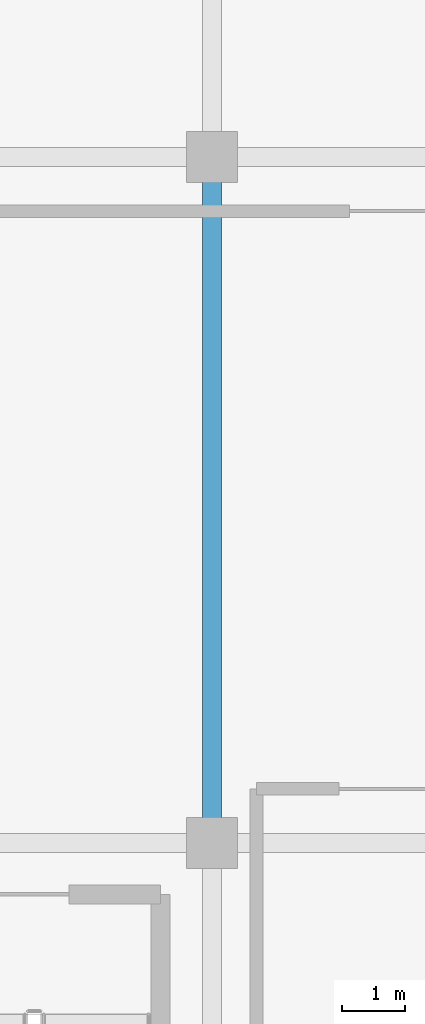
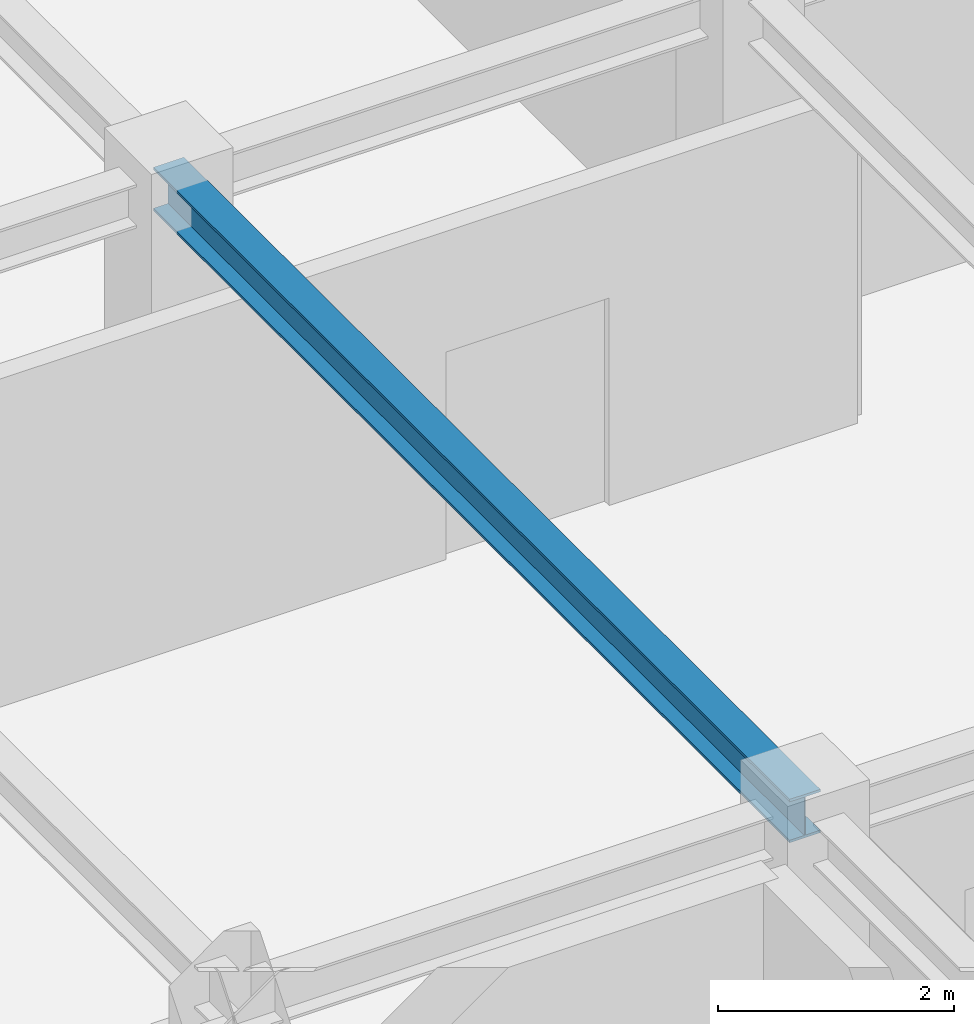
# One storey, part 7 of 18: 1 beam.
"""IFC4 building model written with IfcOpenShell, lengths in metres."""

import ifcopenshell
import ifcopenshell.guid

model = None  # the IFC model being written
_history = None  # IfcOwnerHistory: only IFC2X3 demands one
_inside = {}  # id of a spatial element -> (the spatial element, [elements in it])
_under = {}  # id of a project, library or spatial element -> (it, [spatial elements below it])
_declared = {}  # id of a project -> (the project, [libraries it declares])
_typed = {}  # id of a type object -> (the type object, [elements of that type])
_made_of = {}  # id of a material, layer set ... -> (it, [elements and type objects made of it])


def new_model(schema):
    """Start an empty IFC model of exactly this schema.

    Asked for "IFC4X3", IfcOpenShell would pick the latest addendum, in which some entities
    have other attributes; the version numbers below select the first issue.
    IFC2X3 requires an IfcOwnerHistory on every rooted entity: one is made here for all.
    """
    global model, _history
    if schema == "IFC4X3":
        model = ifcopenshell.file(schema_version=(4, 3, 0, 0))
    else:
        model = ifcopenshell.file(schema=schema)
    _inside.clear()
    _under.clear()
    _declared.clear()
    _typed.clear()
    _made_of.clear()
    _history = None
    if model.schema == "IFC2X3":
        org = make("IfcOrganization", Name="unknown")
        user = make(
            "IfcPersonAndOrganization",
            ThePerson=make("IfcPerson", FamilyName="unknown"),
            TheOrganization=org,
        )
        app = make(
            "IfcApplication",
            ApplicationDeveloper=org,
            Version="unknown",
            ApplicationFullName="unknown",
            ApplicationIdentifier="unknown",
        )
        _history = make(
            "IfcOwnerHistory",
            OwningUser=user,
            OwningApplication=app,
            ChangeAction="ADDED",
            CreationDate=0,
        )
    return model


def make(cls, **values):
    """One entity of the class cls with the attributes given. An attribute that is None is left unset."""
    return model.create_entity(
        cls, **{name: value for name, value in values.items() if value is not None}
    )


def rooted(cls, **values):
    """An entity with a GlobalId (a new one), such as an element, a storey or a relation."""
    return make(cls, GlobalId=ifcopenshell.guid.new(), OwnerHistory=_history, **values)


def si_unit(unit_type, name, prefix=None):
    """IfcSIUnit, for example si_unit("LENGTHUNIT", "METRE", prefix="MILLI")."""
    return make("IfcSIUnit", UnitType=unit_type, Prefix=prefix, Name=name)


def assignment(units):
    """IfcUnitAssignment: the units of a project."""
    return None if units is None else make("IfcUnitAssignment", Units=units)


def point(xyz):
    """IfcCartesianPoint."""
    return None if xyz is None else make("IfcCartesianPoint", Coordinates=xyz)


def direction(xyz):
    """IfcDirection."""
    return None if xyz is None else make("IfcDirection", DirectionRatios=xyz)


def frame(location, z_axis=None, x_axis=None):
    """IfcAxis2Placement3D, a coordinate frame: its origin and axes. An axis left out is left unset."""
    return make(
        "IfcAxis2Placement3D",
        Location=point(location),
        Axis=direction(z_axis),
        RefDirection=direction(x_axis),
    )


def frame_2d(location, x_axis=None):
    """IfcAxis2Placement2D, a coordinate frame in the plane: its origin and x axis."""
    return make(
        "IfcAxis2Placement2D", Location=point(location), RefDirection=direction(x_axis)
    )


def origin():
    """The frame at (0, 0, 0) with its axes left unset."""
    return frame((0.0, 0.0, 0.0))


def origin_2d():
    """The frame at (0, 0) in the plane with its x axis left unset."""
    return frame_2d((0.0, 0.0))


def place(relative_to, where):
    """IfcLocalPlacement: puts the frame where relative to a parent placement (None: the world)."""
    return make(
        "IfcLocalPlacement", PlacementRelTo=relative_to, RelativePlacement=where
    )


def context(
    kind, dimensions, precision=None, world=None, true_north=None, identifier=None
):
    """IfcGeometricRepresentationContext, for example the 3D "Model" context."""
    return make(
        "IfcGeometricRepresentationContext",
        ContextIdentifier=identifier,
        ContextType=kind,
        CoordinateSpaceDimension=dimensions,
        Precision=precision,
        WorldCoordinateSystem=world,
        TrueNorth=true_north,
    )


def subcontext(parent, identifier, kind, view, scale=None):
    """IfcGeometricRepresentationSubContext, for example "Body" below "Model"."""
    return make(
        "IfcGeometricRepresentationSubContext",
        ContextIdentifier=identifier,
        ContextType=kind,
        ParentContext=parent,
        TargetScale=scale,
        TargetView=view,
    )


def project(units=None, contexts=None):
    """IfcProject with its units and contexts."""
    return rooted(
        "IfcProject",
        Name="project",
        RepresentationContexts=contexts,
        UnitsInContext=assignment(units),
    )


def spatial(cls, under=None, at=None, **own):
    """A site, building, storey or space (cls), placed at a placement, below another one or the project."""
    s = rooted(cls, ObjectPlacement=at, **own)
    if under is not None:
        _under.setdefault(under.id(), (under, []))[1].append(s)
    return s


def profile(cls, at=None, kind="AREA", **sizes):
    """A parametric profile (cls). Its sizes go by their IFC names, for example OverallWidth=200.0."""
    return make(cls, ProfileType=kind, Position=at, **sizes)


def i_section(**sizes):
    """IfcIShapeProfileDef."""
    return profile("IfcIShapeProfileDef", **sizes)


def extrude(swept, where, along, depth):
    """IfcExtrudedAreaSolid: the profile swept, set in the frame where, extruded along a direction by depth."""
    return make(
        "IfcExtrudedAreaSolid",
        SweptArea=swept,
        Position=where,
        ExtrudedDirection=direction(along),
        Depth=depth,
    )


def shape(context_of_items, identifier, shape_type, items):
    """IfcShapeRepresentation: the items that make up one representation, for example the "Body"."""
    return make(
        "IfcShapeRepresentation",
        ContextOfItems=context_of_items,
        RepresentationIdentifier=identifier,
        RepresentationType=shape_type,
        Items=items,
    )


def source(mapping_origin, context_of_items, identifier, shape_type, items):
    """IfcRepresentationMap: a shape defined once, which mapped items show again and again."""
    return make(
        "IfcRepresentationMap",
        MappingOrigin=mapping_origin,
        MappedRepresentation=shape(context_of_items, identifier, shape_type, items),
    )


def transform(
    local_origin,
    x_axis=None,
    y_axis=None,
    z_axis=None,
    scale=None,
    scale2=None,
    scale3=None,
    uniform=True,
):
    """IfcCartesianTransformationOperator3D, or its non-uniform kind. x_axis, y_axis, z_axis: its Axis1, 2, 3."""
    if uniform:
        return make(
            "IfcCartesianTransformationOperator3D",
            Axis1=direction(x_axis),
            Axis2=direction(y_axis),
            LocalOrigin=point(local_origin),
            Scale=scale,
            Axis3=direction(z_axis),
        )
    return make(
        "IfcCartesianTransformationOperator3DnonUniform",
        Axis1=direction(x_axis),
        Axis2=direction(y_axis),
        LocalOrigin=point(local_origin),
        Scale=scale,
        Axis3=direction(z_axis),
        Scale2=scale2,
        Scale3=scale3,
    )


def mapped(mapping_source, mapping_target):
    """IfcMappedItem: shows the shape of a source again, moved by a transform."""
    return make(
        "IfcMappedItem", MappingSource=mapping_source, MappingTarget=mapping_target
    )


def material(Name=None, Category=None):
    """IfcMaterial."""
    return make("IfcMaterial", Name=Name, Category=Category)


def material_profile(
    of_material, cross_section, Name=None, Category=None, Priority=None
):
    """IfcMaterialProfile: a cross section and its material."""
    return make(
        "IfcMaterialProfile",
        Name=Name,
        Material=of_material,
        Profile=cross_section,
        Priority=Priority,
        Category=Category,
    )


def profile_set(profiles, Name=None, composite=None):
    """IfcMaterialProfileSet."""
    return make(
        "IfcMaterialProfileSet",
        Name=Name,
        MaterialProfiles=profiles,
        CompositeProfile=composite,
    )


def made_of(thing, what):
    """Note that an element or type object is made of a material, layer set ...; save() writes the relation."""
    if what is not None:
        _made_of.setdefault(what.id(), (what, []))[1].append(thing)
    return thing


def type_object(cls, material=None, **own):
    """A type object (cls), such as IfcWallType, which elements share."""
    return made_of(rooted(cls, **own), material)


def element(
    cls,
    number,
    at=None,
    inside=None,
    cuts=None,
    type_object=None,
    material=None,
    context=None,
    identifier="Body",
    shape_type=None,
    held_by="IfcProductDefinitionShape",
    body=None,
    shapes=None,
    **own,
):
    """One element of the class cls, such as IfcWall. Its Tag is "e" and its number.

    at: its placement. inside: the storey or other place that contains it. cuts: it is an
    opening in that element (IfcRelVoidsElement). A single representation is given by context,
    identifier, shape_type and body (its items); several are given by shapes. held_by: the class
    of the entity that holds the representations. save() writes the other relations.
    """
    e = rooted(cls, Tag="e%d" % number, ObjectPlacement=at, **own)
    if body is not None:
        shapes = [shape(context, identifier, shape_type, body)]
    if shapes is not None:
        e.Representation = make(held_by, Representations=shapes)
    if inside is not None:
        _inside.setdefault(inside.id(), (inside, []))[1].append(e)
    if cuts is not None:
        rooted(
            "IfcRelVoidsElement", RelatingBuildingElement=cuts, RelatedOpeningElement=e
        )
    if type_object is not None:
        _typed.setdefault(type_object.id(), (type_object, []))[1].append(e)
    return made_of(e, material)


def aggregate(whole, parts):
    """IfcRelAggregates: a whole, such as a stair, and the parts it consists of."""
    return rooted("IfcRelAggregates", RelatingObject=whole, RelatedObjects=parts)


def save(model, path):
    """Write the relations noted so far, then the file.

    IfcRelAggregates (storeys below a building ...), IfcRelContainedInSpatialStructure (elements
    in a storey), IfcRelDefinesByType, IfcRelAssociatesMaterial and IfcRelDeclares: one each for
    every whole, place, type object, material and project.
    """
    for whole, parts in _under.values():
        aggregate(whole, parts)
    for where, things in _inside.values():
        rooted(
            "IfcRelContainedInSpatialStructure",
            RelatedElements=things,
            RelatingStructure=where,
        )
    for kind, things in _typed.values():
        rooted("IfcRelDefinesByType", RelatedObjects=things, RelatingType=kind)
    for what, things in _made_of.values():
        rooted("IfcRelAssociatesMaterial", RelatedObjects=things, RelatingMaterial=what)
    for by, libraries in _declared.values():
        rooted("IfcRelDeclares", RelatingContext=by, RelatedDefinitions=libraries)
    model.write(path)


model = new_model("IFC4")

# Units and contexts
model_context = context("Model", 3, precision=1e-05, world=origin(), true_north=direction((0.0, 1.0)))
body_context = subcontext(model_context, "Body", "Model", "MODEL_VIEW")
ifc_project = project(units=[si_unit("LENGTHUNIT", "METRE"), si_unit("AREAUNIT", "SQUARE_METRE"), si_unit("VOLUMEUNIT", "CUBIC_METRE"), si_unit("PLANEANGLEUNIT", "RADIAN"), si_unit("MASSUNIT", "GRAM", prefix="KILO")], contexts=[model_context])

# Site, building, storey
site_placement = place(None, origin())
site = spatial("IfcSite", under=ifc_project, at=site_placement, CompositionType="ELEMENT")
building_placement = place(site_placement, origin())
building = spatial("IfcBuilding", under=site, at=building_placement, Name="Nahalor Promenade Grand Hotel", CompositionType="ELEMENT")
storey_placement = place(building_placement, frame((0.0, 0.0, 366.25)))
storey = spatial("IfcBuildingStorey", under=building, at=storey_placement, Name="L93", CompositionType="ELEMENT", Elevation=366.25)

# Beam
ifc_material = material(Name="Steel S355JR", Category="steel")
ifc_material_profile = material_profile(ifc_material, i_section(OverallWidth=0.3, OverallDepth=0.45, WebThickness=0.014, FlangeThickness=0.026, at=origin_2d()), Name="HEB 450")
ifc_profile_set = profile_set([ifc_material_profile], Name="Steel S355JR")
beam_type = type_object("IfcBeamType", Name="Beam-Girder-HEB450", PredefinedType="BEAM", material=ifc_profile_set)
shared_shape = source(origin(), body_context, "Body", "SweptSolid", [
    extrude(i_section(OverallWidth=0.3, OverallDepth=0.45, WebThickness=0.014, FlangeThickness=0.026, at=origin_2d()), origin(), (0.0, 0.0, 1.0), 10.7998046875),
])
beam_placement = place(storey_placement, frame((-2.800048828125, -5.39990234375, 4.074951171875), z_axis=(0.0, 1.0, 0.0), x_axis=(-1.0, 0.0, 0.0)))
element("IfcBeam", 1, at=beam_placement, inside=storey, type_object=beam_type, Name="BM-L93-GY-2-1", PredefinedType="BEAM", context=body_context, shape_type="MappedRepresentation", body=[
    mapped(shared_shape, transform((0.0, 0.0, 0.0), scale=1.0)),
])

save(model, "model.ifc")
